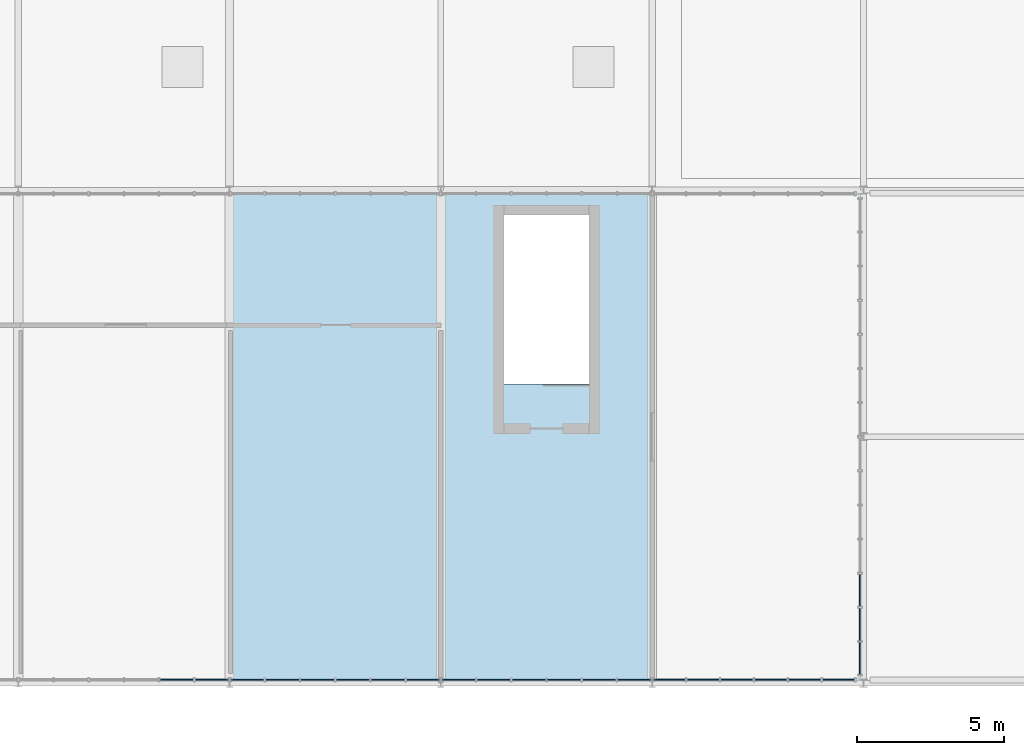
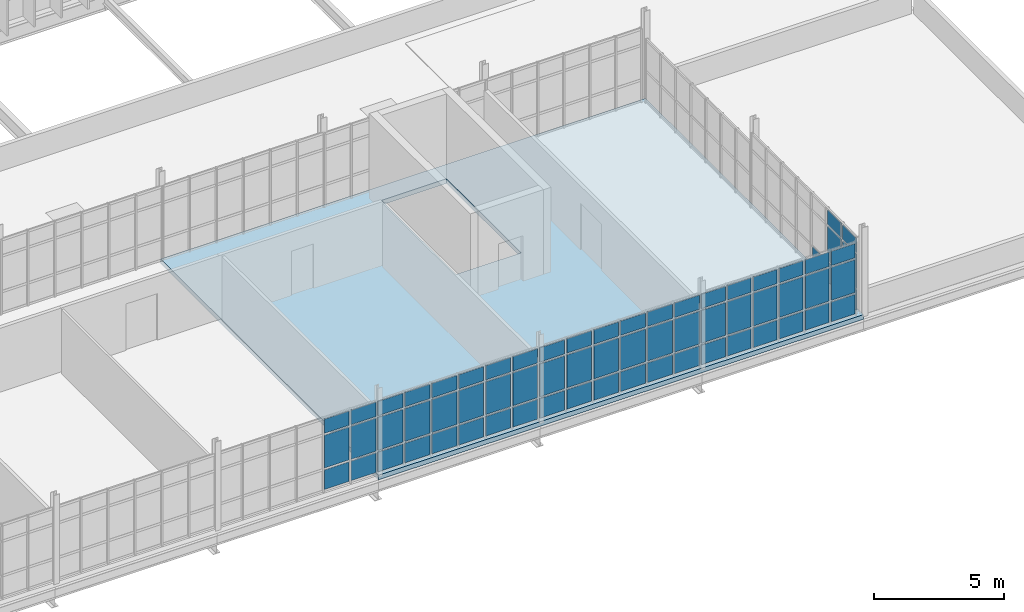
# One storey, part 79 of 119: 67 plates, 1 slab, 5 elements without a shape of their own.
"""IFC4 building model written with IfcOpenShell, lengths in metres."""

from ifc_helpers import new_model, si_unit, direction, frame, origin, origin_2d, place, context, subcontext, project, spatial, polyline, rectangle, outline, extrude, material, layer, layer_set, type_object, element, aggregate, save


model = new_model("IFC4")

# Units and contexts
model_context = context("Model", 3, precision=1e-05, world=origin(), true_north=direction((0.0, 1.0)))
body_context = subcontext(model_context, "Body", "Model", "MODEL_VIEW")
ifc_project = project(units=[si_unit("LENGTHUNIT", "METRE"), si_unit("AREAUNIT", "SQUARE_METRE"), si_unit("VOLUMEUNIT", "CUBIC_METRE"), si_unit("PLANEANGLEUNIT", "RADIAN"), si_unit("MASSUNIT", "GRAM", prefix="KILO")], contexts=[model_context])

# Site, building, storey
site_placement = place(None, origin())
site = spatial("IfcSite", under=ifc_project, at=site_placement, CompositionType="ELEMENT")
building_placement = place(site_placement, origin())
building = spatial("IfcBuilding", under=site, at=building_placement, Name="Qelthora Terrace Specialist Clinic", CompositionType="ELEMENT")
storey_placement = place(building_placement, frame((0.0, 0.0, 4.800048828125)))
storey = spatial("IfcBuildingStorey", under=building, at=storey_placement, Name="L01", CompositionType="ELEMENT", Elevation=4.800048828125)

# Curtain wall, plates
ifc_material_1 = material(Name="Aluminium anodized bronze", Category="aluminium")
curtain_wall_type = type_object("IfcCurtainWallType", Name="CW-CONS-UP", PredefinedType="NOTDEFINED", material=ifc_material_1)
curtain_wall_1_placement = place(storey_placement, origin())
curtain_wall_1 = element("IfcCurtainWall", 1, at=curtain_wall_1_placement, inside=storey, type_object=curtain_wall_type, Name="Curtain wall CW-L01-246", PredefinedType="NOTDEFINED")
ifc_material_2 = material(Name="Low-E triple-silver insulating glass", Category="glass")
ifc_layer_1 = layer(ifc_material_2, 0.035888671875)
ifc_layer_set_1 = layer_set([ifc_layer_1], Name="Low-E triple-silver insulating glass")
plate_type = type_object("IfcPlateType", Name="CWP-IGU-36", PredefinedType="CURTAIN_PANEL", material=ifc_layer_set_1)
plate_1_placement = place(storey_placement, frame((151.080078125, 0.84130859375, 0.0849609375), z_axis=(0.0, 0.0, 1.0), x_axis=(0.0, 1.0, 0.0)))
plate_1 = element("IfcPlate", 2, at=plate_1_placement, type_object=plate_type, Name="CW-L01-246 glazed panel 1", PredefinedType="CURTAIN_PANEL", context=body_context, shape_type="SweptSolid", body=[
    extrude(rectangle(XDim=1.062744140625, YDim=0.035888671875, at=origin_2d()), origin(), (0.0, 0.0, 1.0), 0.919921875),
])
plate_2_placement = place(storey_placement, frame((151.080078125, 0.84130859375, 1.0947265625), z_axis=(0.0, 0.0, 1.0), x_axis=(0.0, 1.0, 0.0)))
plate_2 = element("IfcPlate", 3, at=plate_2_placement, type_object=plate_type, Name="CW-L01-246 glazed panel 2", PredefinedType="CURTAIN_PANEL", context=body_context, shape_type="SweptSolid", body=[
    extrude(rectangle(XDim=1.062744140625, YDim=0.035888671875, at=origin_2d()), origin(), (0.0, 0.0, 1.0), 1.589111328125),
])
plate_3_placement = place(storey_placement, frame((151.080078125, 0.84130859375, 2.77392578125), z_axis=(0.0, 0.0, 1.0), x_axis=(0.0, 1.0, 0.0)))
plate_3 = element("IfcPlate", 4, at=plate_3_placement, type_object=plate_type, Name="CW-L01-246 glazed panel 3", PredefinedType="CURTAIN_PANEL", context=body_context, shape_type="SweptSolid", body=[
    extrude(rectangle(XDim=1.062744140625, YDim=0.035888671875, at=origin_2d()), origin(), (0.0, 0.0, 1.0), 0.669921875),
])
plate_4_placement = place(storey_placement, frame((151.080078125, 2.00439453125, 0.0849609375), z_axis=(0.0, 0.0, 1.0), x_axis=(0.0, 1.0, 0.0)))
plate_4 = element("IfcPlate", 5, at=plate_4_placement, type_object=plate_type, Name="CW-L01-246 glazed panel 4", PredefinedType="CURTAIN_PANEL", context=body_context, shape_type="SweptSolid", body=[
    extrude(rectangle(XDim=1.062744140625, YDim=0.035888671875, at=origin_2d()), origin(), (0.0, 0.0, 1.0), 0.919921875),
])
plate_5_placement = place(storey_placement, frame((151.080078125, 2.00439453125, 1.0947265625), z_axis=(0.0, 0.0, 1.0), x_axis=(0.0, 1.0, 0.0)))
plate_5 = element("IfcPlate", 6, at=plate_5_placement, type_object=plate_type, Name="CW-L01-246 glazed panel 5", PredefinedType="CURTAIN_PANEL", context=body_context, shape_type="SweptSolid", body=[
    extrude(rectangle(XDim=1.062744140625, YDim=0.035888671875, at=origin_2d()), origin(), (0.0, 0.0, 1.0), 1.589111328125),
])
plate_6_placement = place(storey_placement, frame((151.080078125, 2.00439453125, 2.77392578125), z_axis=(0.0, 0.0, 1.0), x_axis=(0.0, 1.0, 0.0)))
plate_6 = element("IfcPlate", 7, at=plate_6_placement, type_object=plate_type, Name="CW-L01-246 glazed panel 6", PredefinedType="CURTAIN_PANEL", context=body_context, shape_type="SweptSolid", body=[
    extrude(rectangle(XDim=1.062744140625, YDim=0.035888671875, at=origin_2d()), origin(), (0.0, 0.0, 1.0), 0.669921875),
])
plate_7_placement = place(storey_placement, frame((151.080078125, 3.167236328125, 0.0849609375), z_axis=(0.0, 0.0, 1.0), x_axis=(0.0, 1.0, 0.0)))
plate_7 = element("IfcPlate", 8, at=plate_7_placement, type_object=plate_type, Name="CW-L01-246 glazed panel 7", PredefinedType="CURTAIN_PANEL", context=body_context, shape_type="SweptSolid", body=[
    extrude(rectangle(XDim=1.062744140625, YDim=0.035888671875, at=origin_2d()), origin(), (0.0, 0.0, 1.0), 0.919921875),
])
aggregate(curtain_wall_1, [plate_1, plate_2, plate_3, plate_4, plate_5, plate_6, plate_7])

curtain_wall_2_placement = place(storey_placement, origin())
curtain_wall_2 = element("IfcCurtainWall", 9, at=curtain_wall_2_placement, inside=storey, type_object=curtain_wall_type, Name="Curtain wall CW-L01-250", PredefinedType="NOTDEFINED")
plate_8_placement = place(storey_placement, frame((127.800048828125, 0.1201171875, 0.0849609375), z_axis=(0.0, 0.0, 1.0), x_axis=(1.0, 0.0, 0.0)))
plate_8 = element("IfcPlate", 10, at=plate_8_placement, type_object=plate_type, Name="CW-L01-250 glazed panel 13", PredefinedType="CURTAIN_PANEL", context=body_context, shape_type="SweptSolid", body=[
    extrude(rectangle(XDim=1.10009765625, YDim=0.035888671875, at=origin_2d()), origin(), (0.0, 0.0, 1.0), 0.919921875),
])
plate_9_placement = place(storey_placement, frame((127.800048828125, 0.1201171875, 1.094970703125), z_axis=(0.0, 0.0, 1.0), x_axis=(1.0, 0.0, 0.0)))
plate_9 = element("IfcPlate", 11, at=plate_9_placement, type_object=plate_type, Name="CW-L01-250 glazed panel 14", PredefinedType="CURTAIN_PANEL", context=body_context, shape_type="SweptSolid", body=[
    extrude(rectangle(XDim=1.10009765625, YDim=0.035888671875, at=origin_2d()), origin(), (0.0, 0.0, 1.0), 1.5419921875),
])
plate_10_placement = place(storey_placement, frame((127.800048828125, 0.1201171875, 2.72705078125), z_axis=(0.0, 0.0, 1.0), x_axis=(1.0, 0.0, 0.0)))
plate_10 = element("IfcPlate", 12, at=plate_10_placement, type_object=plate_type, Name="CW-L01-250 glazed panel 15", PredefinedType="CURTAIN_PANEL", context=body_context, shape_type="SweptSolid", body=[
    extrude(rectangle(XDim=1.10009765625, YDim=0.035888671875, at=origin_2d()), origin(), (0.0, 0.0, 1.0), 0.669921875),
])
plate_11_placement = place(storey_placement, frame((129.0, 0.1201171875, 0.0849609375), z_axis=(0.0, 0.0, 1.0), x_axis=(1.0, 0.0, 0.0)))
plate_11 = element("IfcPlate", 13, at=plate_11_placement, type_object=plate_type, Name="CW-L01-250 glazed panel 16", PredefinedType="CURTAIN_PANEL", context=body_context, shape_type="SweptSolid", body=[
    extrude(rectangle(XDim=1.10009765625, YDim=0.035888671875, at=origin_2d()), origin(), (0.0, 0.0, 1.0), 0.919921875),
])
plate_12_placement = place(storey_placement, frame((129.0, 0.1201171875, 1.094970703125), z_axis=(0.0, 0.0, 1.0), x_axis=(1.0, 0.0, 0.0)))
plate_12 = element("IfcPlate", 14, at=plate_12_placement, type_object=plate_type, Name="CW-L01-250 glazed panel 17", PredefinedType="CURTAIN_PANEL", context=body_context, shape_type="SweptSolid", body=[
    extrude(rectangle(XDim=1.10009765625, YDim=0.035888671875, at=origin_2d()), origin(), (0.0, 0.0, 1.0), 1.5419921875),
])
plate_13_placement = place(storey_placement, frame((129.0, 0.1201171875, 2.72705078125), z_axis=(0.0, 0.0, 1.0), x_axis=(1.0, 0.0, 0.0)))
plate_13 = element("IfcPlate", 15, at=plate_13_placement, type_object=plate_type, Name="CW-L01-250 glazed panel 18", PredefinedType="CURTAIN_PANEL", context=body_context, shape_type="SweptSolid", body=[
    extrude(rectangle(XDim=1.10009765625, YDim=0.035888671875, at=origin_2d()), origin(), (0.0, 0.0, 1.0), 0.669921875),
])
aggregate(curtain_wall_2, [plate_8, plate_9, plate_10, plate_11, plate_12, plate_13])

curtain_wall_3_placement = place(storey_placement, origin())
curtain_wall_3 = element("IfcCurtainWall", 16, at=curtain_wall_3_placement, inside=storey, type_object=curtain_wall_type, Name="Curtain wall CW-L01-251", PredefinedType="NOTDEFINED")
plate_14_placement = place(storey_placement, frame((130.199951171875, 0.1201171875, 0.0849609375), z_axis=(0.0, 0.0, 1.0), x_axis=(1.0, 0.0, 0.0)))
plate_14 = element("IfcPlate", 17, at=plate_14_placement, type_object=plate_type, Name="CW-L01-251 glazed panel 1", PredefinedType="CURTAIN_PANEL", context=body_context, shape_type="SweptSolid", body=[
    extrude(rectangle(XDim=1.10009765625, YDim=0.035888671875, at=origin_2d()), origin(), (0.0, 0.0, 1.0), 0.919921875),
])
plate_15_placement = place(storey_placement, frame((130.199951171875, 0.1201171875, 1.094970703125), z_axis=(0.0, 0.0, 1.0), x_axis=(1.0, 0.0, 0.0)))
plate_15 = element("IfcPlate", 18, at=plate_15_placement, type_object=plate_type, Name="CW-L01-251 glazed panel 2", PredefinedType="CURTAIN_PANEL", context=body_context, shape_type="SweptSolid", body=[
    extrude(rectangle(XDim=1.10009765625, YDim=0.035888671875, at=origin_2d()), origin(), (0.0, 0.0, 1.0), 1.5419921875),
])
plate_16_placement = place(storey_placement, frame((130.199951171875, 0.1201171875, 2.72705078125), z_axis=(0.0, 0.0, 1.0), x_axis=(1.0, 0.0, 0.0)))
plate_16 = element("IfcPlate", 19, at=plate_16_placement, type_object=plate_type, Name="CW-L01-251 glazed panel 3", PredefinedType="CURTAIN_PANEL", context=body_context, shape_type="SweptSolid", body=[
    extrude(rectangle(XDim=1.10009765625, YDim=0.035888671875, at=origin_2d()), origin(), (0.0, 0.0, 1.0), 0.669921875),
])
plate_17_placement = place(storey_placement, frame((131.39990234375, 0.1201171875, 0.0849609375), z_axis=(0.0, 0.0, 1.0), x_axis=(1.0, 0.0, 0.0)))
plate_17 = element("IfcPlate", 20, at=plate_17_placement, type_object=plate_type, Name="CW-L01-251 glazed panel 4", PredefinedType="CURTAIN_PANEL", context=body_context, shape_type="SweptSolid", body=[
    extrude(rectangle(XDim=1.10009765625, YDim=0.035888671875, at=origin_2d()), origin(), (0.0, 0.0, 1.0), 0.919921875),
])
plate_18_placement = place(storey_placement, frame((131.39990234375, 0.1201171875, 1.094970703125), z_axis=(0.0, 0.0, 1.0), x_axis=(1.0, 0.0, 0.0)))
plate_18 = element("IfcPlate", 21, at=plate_18_placement, type_object=plate_type, Name="CW-L01-251 glazed panel 5", PredefinedType="CURTAIN_PANEL", context=body_context, shape_type="SweptSolid", body=[
    extrude(rectangle(XDim=1.10009765625, YDim=0.035888671875, at=origin_2d()), origin(), (0.0, 0.0, 1.0), 1.5419921875),
])
plate_19_placement = place(storey_placement, frame((131.39990234375, 0.1201171875, 2.72705078125), z_axis=(0.0, 0.0, 1.0), x_axis=(1.0, 0.0, 0.0)))
plate_19 = element("IfcPlate", 22, at=plate_19_placement, type_object=plate_type, Name="CW-L01-251 glazed panel 6", PredefinedType="CURTAIN_PANEL", context=body_context, shape_type="SweptSolid", body=[
    extrude(rectangle(XDim=1.10009765625, YDim=0.035888671875, at=origin_2d()), origin(), (0.0, 0.0, 1.0), 0.669921875),
])
plate_20_placement = place(storey_placement, frame((132.60009765625, 0.1201171875, 0.0849609375), z_axis=(0.0, 0.0, 1.0), x_axis=(1.0, 0.0, 0.0)))
plate_20 = element("IfcPlate", 23, at=plate_20_placement, type_object=plate_type, Name="CW-L01-251 glazed panel 7", PredefinedType="CURTAIN_PANEL", context=body_context, shape_type="SweptSolid", body=[
    extrude(rectangle(XDim=1.10009765625, YDim=0.035888671875, at=origin_2d()), origin(), (0.0, 0.0, 1.0), 0.919921875),
])
plate_21_placement = place(storey_placement, frame((132.60009765625, 0.1201171875, 1.094970703125), z_axis=(0.0, 0.0, 1.0), x_axis=(1.0, 0.0, 0.0)))
plate_21 = element("IfcPlate", 24, at=plate_21_placement, type_object=plate_type, Name="CW-L01-251 glazed panel 8", PredefinedType="CURTAIN_PANEL", context=body_context, shape_type="SweptSolid", body=[
    extrude(rectangle(XDim=1.10009765625, YDim=0.035888671875, at=origin_2d()), origin(), (0.0, 0.0, 1.0), 1.5419921875),
])
plate_22_placement = place(storey_placement, frame((132.60009765625, 0.1201171875, 2.72705078125), z_axis=(0.0, 0.0, 1.0), x_axis=(1.0, 0.0, 0.0)))
plate_22 = element("IfcPlate", 25, at=plate_22_placement, type_object=plate_type, Name="CW-L01-251 glazed panel 9", PredefinedType="CURTAIN_PANEL", context=body_context, shape_type="SweptSolid", body=[
    extrude(rectangle(XDim=1.10009765625, YDim=0.035888671875, at=origin_2d()), origin(), (0.0, 0.0, 1.0), 0.669921875),
])
plate_23_placement = place(storey_placement, frame((133.800048828125, 0.1201171875, 0.0849609375), z_axis=(0.0, 0.0, 1.0), x_axis=(1.0, 0.0, 0.0)))
plate_23 = element("IfcPlate", 26, at=plate_23_placement, type_object=plate_type, Name="CW-L01-251 glazed panel 10", PredefinedType="CURTAIN_PANEL", context=body_context, shape_type="SweptSolid", body=[
    extrude(rectangle(XDim=1.10009765625, YDim=0.035888671875, at=origin_2d()), origin(), (0.0, 0.0, 1.0), 0.919921875),
])
plate_24_placement = place(storey_placement, frame((133.800048828125, 0.1201171875, 1.094970703125), z_axis=(0.0, 0.0, 1.0), x_axis=(1.0, 0.0, 0.0)))
plate_24 = element("IfcPlate", 27, at=plate_24_placement, type_object=plate_type, Name="CW-L01-251 glazed panel 11", PredefinedType="CURTAIN_PANEL", context=body_context, shape_type="SweptSolid", body=[
    extrude(rectangle(XDim=1.10009765625, YDim=0.035888671875, at=origin_2d()), origin(), (0.0, 0.0, 1.0), 1.5419921875),
])
plate_25_placement = place(storey_placement, frame((133.800048828125, 0.1201171875, 2.72705078125), z_axis=(0.0, 0.0, 1.0), x_axis=(1.0, 0.0, 0.0)))
plate_25 = element("IfcPlate", 28, at=plate_25_placement, type_object=plate_type, Name="CW-L01-251 glazed panel 12", PredefinedType="CURTAIN_PANEL", context=body_context, shape_type="SweptSolid", body=[
    extrude(rectangle(XDim=1.10009765625, YDim=0.035888671875, at=origin_2d()), origin(), (0.0, 0.0, 1.0), 0.669921875),
])
plate_26_placement = place(storey_placement, frame((135.0, 0.1201171875, 0.0849609375), z_axis=(0.0, 0.0, 1.0), x_axis=(1.0, 0.0, 0.0)))
plate_26 = element("IfcPlate", 29, at=plate_26_placement, type_object=plate_type, Name="CW-L01-251 glazed panel 13", PredefinedType="CURTAIN_PANEL", context=body_context, shape_type="SweptSolid", body=[
    extrude(rectangle(XDim=1.10009765625, YDim=0.035888671875, at=origin_2d()), origin(), (0.0, 0.0, 1.0), 0.919921875),
])
plate_27_placement = place(storey_placement, frame((135.0, 0.1201171875, 1.094970703125), z_axis=(0.0, 0.0, 1.0), x_axis=(1.0, 0.0, 0.0)))
plate_27 = element("IfcPlate", 30, at=plate_27_placement, type_object=plate_type, Name="CW-L01-251 glazed panel 14", PredefinedType="CURTAIN_PANEL", context=body_context, shape_type="SweptSolid", body=[
    extrude(rectangle(XDim=1.10009765625, YDim=0.035888671875, at=origin_2d()), origin(), (0.0, 0.0, 1.0), 1.5419921875),
])
plate_28_placement = place(storey_placement, frame((135.0, 0.1201171875, 2.72705078125), z_axis=(0.0, 0.0, 1.0), x_axis=(1.0, 0.0, 0.0)))
plate_28 = element("IfcPlate", 31, at=plate_28_placement, type_object=plate_type, Name="CW-L01-251 glazed panel 15", PredefinedType="CURTAIN_PANEL", context=body_context, shape_type="SweptSolid", body=[
    extrude(rectangle(XDim=1.10009765625, YDim=0.035888671875, at=origin_2d()), origin(), (0.0, 0.0, 1.0), 0.669921875),
])
plate_29_placement = place(storey_placement, frame((136.199951171875, 0.1201171875, 0.0849609375), z_axis=(0.0, 0.0, 1.0), x_axis=(1.0, 0.0, 0.0)))
plate_29 = element("IfcPlate", 32, at=plate_29_placement, type_object=plate_type, Name="CW-L01-251 glazed panel 16", PredefinedType="CURTAIN_PANEL", context=body_context, shape_type="SweptSolid", body=[
    extrude(rectangle(XDim=1.10009765625, YDim=0.035888671875, at=origin_2d()), origin(), (0.0, 0.0, 1.0), 0.919921875),
])
plate_30_placement = place(storey_placement, frame((136.199951171875, 0.1201171875, 1.094970703125), z_axis=(0.0, 0.0, 1.0), x_axis=(1.0, 0.0, 0.0)))
plate_30 = element("IfcPlate", 33, at=plate_30_placement, type_object=plate_type, Name="CW-L01-251 glazed panel 17", PredefinedType="CURTAIN_PANEL", context=body_context, shape_type="SweptSolid", body=[
    extrude(rectangle(XDim=1.10009765625, YDim=0.035888671875, at=origin_2d()), origin(), (0.0, 0.0, 1.0), 1.5419921875),
])
plate_31_placement = place(storey_placement, frame((136.199951171875, 0.1201171875, 2.72705078125), z_axis=(0.0, 0.0, 1.0), x_axis=(1.0, 0.0, 0.0)))
plate_31 = element("IfcPlate", 34, at=plate_31_placement, type_object=plate_type, Name="CW-L01-251 glazed panel 18", PredefinedType="CURTAIN_PANEL", context=body_context, shape_type="SweptSolid", body=[
    extrude(rectangle(XDim=1.10009765625, YDim=0.035888671875, at=origin_2d()), origin(), (0.0, 0.0, 1.0), 0.669921875),
])
aggregate(curtain_wall_3, [plate_14, plate_15, plate_16, plate_17, plate_18, plate_19, plate_20, plate_21, plate_22, plate_23, plate_24, plate_25, plate_26, plate_27, plate_28, plate_29, plate_30, plate_31])

curtain_wall_4_placement = place(storey_placement, origin())
curtain_wall_4 = element("IfcCurtainWall", 35, at=curtain_wall_4_placement, inside=storey, type_object=curtain_wall_type, Name="Curtain wall CW-L01-252", PredefinedType="NOTDEFINED")
plate_32_placement = place(storey_placement, frame((137.39990234375, 0.1201171875, 0.0849609375), z_axis=(0.0, 0.0, 1.0), x_axis=(1.0, 0.0, 0.0)))
plate_32 = element("IfcPlate", 36, at=plate_32_placement, type_object=plate_type, Name="CW-L01-252 glazed panel 1", PredefinedType="CURTAIN_PANEL", context=body_context, shape_type="SweptSolid", body=[
    extrude(rectangle(XDim=1.10009765625, YDim=0.035888671875, at=origin_2d()), origin(), (0.0, 0.0, 1.0), 0.919921875),
])
plate_33_placement = place(storey_placement, frame((137.39990234375, 0.1201171875, 1.094970703125), z_axis=(0.0, 0.0, 1.0), x_axis=(1.0, 0.0, 0.0)))
plate_33 = element("IfcPlate", 37, at=plate_33_placement, type_object=plate_type, Name="CW-L01-252 glazed panel 2", PredefinedType="CURTAIN_PANEL", context=body_context, shape_type="SweptSolid", body=[
    extrude(rectangle(XDim=1.10009765625, YDim=0.035888671875, at=origin_2d()), origin(), (0.0, 0.0, 1.0), 1.5419921875),
])
plate_34_placement = place(storey_placement, frame((137.39990234375, 0.1201171875, 2.72705078125), z_axis=(0.0, 0.0, 1.0), x_axis=(1.0, 0.0, 0.0)))
plate_34 = element("IfcPlate", 38, at=plate_34_placement, type_object=plate_type, Name="CW-L01-252 glazed panel 3", PredefinedType="CURTAIN_PANEL", context=body_context, shape_type="SweptSolid", body=[
    extrude(rectangle(XDim=1.10009765625, YDim=0.035888671875, at=origin_2d()), origin(), (0.0, 0.0, 1.0), 0.669921875),
])
plate_35_placement = place(storey_placement, frame((138.60009765625, 0.1201171875, 0.0849609375), z_axis=(0.0, 0.0, 1.0), x_axis=(1.0, 0.0, 0.0)))
plate_35 = element("IfcPlate", 39, at=plate_35_placement, type_object=plate_type, Name="CW-L01-252 glazed panel 4", PredefinedType="CURTAIN_PANEL", context=body_context, shape_type="SweptSolid", body=[
    extrude(rectangle(XDim=1.10009765625, YDim=0.035888671875, at=origin_2d()), origin(), (0.0, 0.0, 1.0), 0.919921875),
])
plate_36_placement = place(storey_placement, frame((138.60009765625, 0.1201171875, 1.094970703125), z_axis=(0.0, 0.0, 1.0), x_axis=(1.0, 0.0, 0.0)))
plate_36 = element("IfcPlate", 40, at=plate_36_placement, type_object=plate_type, Name="CW-L01-252 glazed panel 5", PredefinedType="CURTAIN_PANEL", context=body_context, shape_type="SweptSolid", body=[
    extrude(rectangle(XDim=1.10009765625, YDim=0.035888671875, at=origin_2d()), origin(), (0.0, 0.0, 1.0), 1.5419921875),
])
plate_37_placement = place(storey_placement, frame((138.60009765625, 0.1201171875, 2.72705078125), z_axis=(0.0, 0.0, 1.0), x_axis=(1.0, 0.0, 0.0)))
plate_37 = element("IfcPlate", 41, at=plate_37_placement, type_object=plate_type, Name="CW-L01-252 glazed panel 6", PredefinedType="CURTAIN_PANEL", context=body_context, shape_type="SweptSolid", body=[
    extrude(rectangle(XDim=1.10009765625, YDim=0.035888671875, at=origin_2d()), origin(), (0.0, 0.0, 1.0), 0.669921875),
])
plate_38_placement = place(storey_placement, frame((139.800048828125, 0.1201171875, 0.0849609375), z_axis=(0.0, 0.0, 1.0), x_axis=(1.0, 0.0, 0.0)))
plate_38 = element("IfcPlate", 42, at=plate_38_placement, type_object=plate_type, Name="CW-L01-252 glazed panel 7", PredefinedType="CURTAIN_PANEL", context=body_context, shape_type="SweptSolid", body=[
    extrude(rectangle(XDim=1.10009765625, YDim=0.035888671875, at=origin_2d()), origin(), (0.0, 0.0, 1.0), 0.919921875),
])
plate_39_placement = place(storey_placement, frame((139.800048828125, 0.1201171875, 1.094970703125), z_axis=(0.0, 0.0, 1.0), x_axis=(1.0, 0.0, 0.0)))
plate_39 = element("IfcPlate", 43, at=plate_39_placement, type_object=plate_type, Name="CW-L01-252 glazed panel 8", PredefinedType="CURTAIN_PANEL", context=body_context, shape_type="SweptSolid", body=[
    extrude(rectangle(XDim=1.10009765625, YDim=0.035888671875, at=origin_2d()), origin(), (0.0, 0.0, 1.0), 1.5419921875),
])
plate_40_placement = place(storey_placement, frame((139.800048828125, 0.1201171875, 2.72705078125), z_axis=(0.0, 0.0, 1.0), x_axis=(1.0, 0.0, 0.0)))
plate_40 = element("IfcPlate", 44, at=plate_40_placement, type_object=plate_type, Name="CW-L01-252 glazed panel 9", PredefinedType="CURTAIN_PANEL", context=body_context, shape_type="SweptSolid", body=[
    extrude(rectangle(XDim=1.10009765625, YDim=0.035888671875, at=origin_2d()), origin(), (0.0, 0.0, 1.0), 0.669921875),
])
plate_41_placement = place(storey_placement, frame((141.0, 0.1201171875, 0.0849609375), z_axis=(0.0, 0.0, 1.0), x_axis=(1.0, 0.0, 0.0)))
plate_41 = element("IfcPlate", 45, at=plate_41_placement, type_object=plate_type, Name="CW-L01-252 glazed panel 10", PredefinedType="CURTAIN_PANEL", context=body_context, shape_type="SweptSolid", body=[
    extrude(rectangle(XDim=1.10009765625, YDim=0.035888671875, at=origin_2d()), origin(), (0.0, 0.0, 1.0), 0.919921875),
])
plate_42_placement = place(storey_placement, frame((141.0, 0.1201171875, 1.094970703125), z_axis=(0.0, 0.0, 1.0), x_axis=(1.0, 0.0, 0.0)))
plate_42 = element("IfcPlate", 46, at=plate_42_placement, type_object=plate_type, Name="CW-L01-252 glazed panel 11", PredefinedType="CURTAIN_PANEL", context=body_context, shape_type="SweptSolid", body=[
    extrude(rectangle(XDim=1.10009765625, YDim=0.035888671875, at=origin_2d()), origin(), (0.0, 0.0, 1.0), 1.5419921875),
])
plate_43_placement = place(storey_placement, frame((141.0, 0.1201171875, 2.72705078125), z_axis=(0.0, 0.0, 1.0), x_axis=(1.0, 0.0, 0.0)))
plate_43 = element("IfcPlate", 47, at=plate_43_placement, type_object=plate_type, Name="CW-L01-252 glazed panel 12", PredefinedType="CURTAIN_PANEL", context=body_context, shape_type="SweptSolid", body=[
    extrude(rectangle(XDim=1.10009765625, YDim=0.035888671875, at=origin_2d()), origin(), (0.0, 0.0, 1.0), 0.669921875),
])
plate_44_placement = place(storey_placement, frame((142.199951171875, 0.1201171875, 0.0849609375), z_axis=(0.0, 0.0, 1.0), x_axis=(1.0, 0.0, 0.0)))
plate_44 = element("IfcPlate", 48, at=plate_44_placement, type_object=plate_type, Name="CW-L01-252 glazed panel 13", PredefinedType="CURTAIN_PANEL", context=body_context, shape_type="SweptSolid", body=[
    extrude(rectangle(XDim=1.10009765625, YDim=0.035888671875, at=origin_2d()), origin(), (0.0, 0.0, 1.0), 0.919921875),
])
plate_45_placement = place(storey_placement, frame((142.199951171875, 0.1201171875, 1.094970703125), z_axis=(0.0, 0.0, 1.0), x_axis=(1.0, 0.0, 0.0)))
plate_45 = element("IfcPlate", 49, at=plate_45_placement, type_object=plate_type, Name="CW-L01-252 glazed panel 14", PredefinedType="CURTAIN_PANEL", context=body_context, shape_type="SweptSolid", body=[
    extrude(rectangle(XDim=1.10009765625, YDim=0.035888671875, at=origin_2d()), origin(), (0.0, 0.0, 1.0), 1.5419921875),
])
plate_46_placement = place(storey_placement, frame((142.199951171875, 0.1201171875, 2.72705078125), z_axis=(0.0, 0.0, 1.0), x_axis=(1.0, 0.0, 0.0)))
plate_46 = element("IfcPlate", 50, at=plate_46_placement, type_object=plate_type, Name="CW-L01-252 glazed panel 15", PredefinedType="CURTAIN_PANEL", context=body_context, shape_type="SweptSolid", body=[
    extrude(rectangle(XDim=1.10009765625, YDim=0.035888671875, at=origin_2d()), origin(), (0.0, 0.0, 1.0), 0.669921875),
])
plate_47_placement = place(storey_placement, frame((143.39990234375, 0.1201171875, 0.0849609375), z_axis=(0.0, 0.0, 1.0), x_axis=(1.0, 0.0, 0.0)))
plate_47 = element("IfcPlate", 51, at=plate_47_placement, type_object=plate_type, Name="CW-L01-252 glazed panel 16", PredefinedType="CURTAIN_PANEL", context=body_context, shape_type="SweptSolid", body=[
    extrude(rectangle(XDim=1.10009765625, YDim=0.035888671875, at=origin_2d()), origin(), (0.0, 0.0, 1.0), 0.919921875),
])
plate_48_placement = place(storey_placement, frame((143.39990234375, 0.1201171875, 1.094970703125), z_axis=(0.0, 0.0, 1.0), x_axis=(1.0, 0.0, 0.0)))
plate_48 = element("IfcPlate", 52, at=plate_48_placement, type_object=plate_type, Name="CW-L01-252 glazed panel 17", PredefinedType="CURTAIN_PANEL", context=body_context, shape_type="SweptSolid", body=[
    extrude(rectangle(XDim=1.10009765625, YDim=0.035888671875, at=origin_2d()), origin(), (0.0, 0.0, 1.0), 1.5419921875),
])
plate_49_placement = place(storey_placement, frame((143.39990234375, 0.1201171875, 2.72705078125), z_axis=(0.0, 0.0, 1.0), x_axis=(1.0, 0.0, 0.0)))
plate_49 = element("IfcPlate", 53, at=plate_49_placement, type_object=plate_type, Name="CW-L01-252 glazed panel 18", PredefinedType="CURTAIN_PANEL", context=body_context, shape_type="SweptSolid", body=[
    extrude(rectangle(XDim=1.10009765625, YDim=0.035888671875, at=origin_2d()), origin(), (0.0, 0.0, 1.0), 0.669921875),
])
aggregate(curtain_wall_4, [plate_32, plate_33, plate_34, plate_35, plate_36, plate_37, plate_38, plate_39, plate_40, plate_41, plate_42, plate_43, plate_44, plate_45, plate_46, plate_47, plate_48, plate_49])

curtain_wall_5_placement = place(storey_placement, origin())
curtain_wall_5 = element("IfcCurtainWall", 54, at=curtain_wall_5_placement, inside=storey, type_object=curtain_wall_type, Name="Curtain wall CW-L01-253", PredefinedType="NOTDEFINED")
plate_50_placement = place(storey_placement, frame((144.578369140625, 0.1201171875, 0.0849609375), z_axis=(0.0, 0.0, 1.0), x_axis=(1.0, 0.0, 0.0)))
plate_50 = element("IfcPlate", 55, at=plate_50_placement, type_object=plate_type, Name="CW-L01-253 glazed panel 1", PredefinedType="CURTAIN_PANEL", context=body_context, shape_type="SweptSolid", body=[
    extrude(rectangle(XDim=1.056640625, YDim=0.035888671875, at=origin_2d()), origin(), (0.0, 0.0, 1.0), 0.919921875),
])
plate_51_placement = place(storey_placement, frame((144.578369140625, 0.1201171875, 1.094970703125), z_axis=(0.0, 0.0, 1.0), x_axis=(1.0, 0.0, 0.0)))
plate_51 = element("IfcPlate", 56, at=plate_51_placement, type_object=plate_type, Name="CW-L01-253 glazed panel 2", PredefinedType="CURTAIN_PANEL", context=body_context, shape_type="SweptSolid", body=[
    extrude(rectangle(XDim=1.056640625, YDim=0.035888671875, at=origin_2d()), origin(), (0.0, 0.0, 1.0), 1.5419921875),
])
plate_52_placement = place(storey_placement, frame((144.578369140625, 0.1201171875, 2.72705078125), z_axis=(0.0, 0.0, 1.0), x_axis=(1.0, 0.0, 0.0)))
plate_52 = element("IfcPlate", 57, at=plate_52_placement, type_object=plate_type, Name="CW-L01-253 glazed panel 3", PredefinedType="CURTAIN_PANEL", context=body_context, shape_type="SweptSolid", body=[
    extrude(rectangle(XDim=1.056640625, YDim=0.035888671875, at=origin_2d()), origin(), (0.0, 0.0, 1.0), 0.669921875),
])
plate_53_placement = place(storey_placement, frame((145.735107421875, 0.1201171875, 0.0849609375), z_axis=(0.0, 0.0, 1.0), x_axis=(1.0, 0.0, 0.0)))
plate_53 = element("IfcPlate", 58, at=plate_53_placement, type_object=plate_type, Name="CW-L01-253 glazed panel 4", PredefinedType="CURTAIN_PANEL", context=body_context, shape_type="SweptSolid", body=[
    extrude(rectangle(XDim=1.056640625, YDim=0.035888671875, at=origin_2d()), origin(), (0.0, 0.0, 1.0), 0.919921875),
])
plate_54_placement = place(storey_placement, frame((145.735107421875, 0.1201171875, 1.094970703125), z_axis=(0.0, 0.0, 1.0), x_axis=(1.0, 0.0, 0.0)))
plate_54 = element("IfcPlate", 59, at=plate_54_placement, type_object=plate_type, Name="CW-L01-253 glazed panel 5", PredefinedType="CURTAIN_PANEL", context=body_context, shape_type="SweptSolid", body=[
    extrude(rectangle(XDim=1.056640625, YDim=0.035888671875, at=origin_2d()), origin(), (0.0, 0.0, 1.0), 1.5419921875),
])
plate_55_placement = place(storey_placement, frame((145.735107421875, 0.1201171875, 2.72705078125), z_axis=(0.0, 0.0, 1.0), x_axis=(1.0, 0.0, 0.0)))
plate_55 = element("IfcPlate", 60, at=plate_55_placement, type_object=plate_type, Name="CW-L01-253 glazed panel 6", PredefinedType="CURTAIN_PANEL", context=body_context, shape_type="SweptSolid", body=[
    extrude(rectangle(XDim=1.056640625, YDim=0.035888671875, at=origin_2d()), origin(), (0.0, 0.0, 1.0), 0.669921875),
])
plate_56_placement = place(storey_placement, frame((146.8916015625, 0.1201171875, 0.0849609375), z_axis=(0.0, 0.0, 1.0), x_axis=(1.0, 0.0, 0.0)))
plate_56 = element("IfcPlate", 61, at=plate_56_placement, type_object=plate_type, Name="CW-L01-253 glazed panel 7", PredefinedType="CURTAIN_PANEL", context=body_context, shape_type="SweptSolid", body=[
    extrude(rectangle(XDim=1.056640625, YDim=0.035888671875, at=origin_2d()), origin(), (0.0, 0.0, 1.0), 0.919921875),
])
plate_57_placement = place(storey_placement, frame((146.8916015625, 0.1201171875, 1.094970703125), z_axis=(0.0, 0.0, 1.0), x_axis=(1.0, 0.0, 0.0)))
plate_57 = element("IfcPlate", 62, at=plate_57_placement, type_object=plate_type, Name="CW-L01-253 glazed panel 8", PredefinedType="CURTAIN_PANEL", context=body_context, shape_type="SweptSolid", body=[
    extrude(rectangle(XDim=1.056640625, YDim=0.035888671875, at=origin_2d()), origin(), (0.0, 0.0, 1.0), 1.5419921875),
])
plate_58_placement = place(storey_placement, frame((146.8916015625, 0.1201171875, 2.72705078125), z_axis=(0.0, 0.0, 1.0), x_axis=(1.0, 0.0, 0.0)))
plate_58 = element("IfcPlate", 63, at=plate_58_placement, type_object=plate_type, Name="CW-L01-253 glazed panel 9", PredefinedType="CURTAIN_PANEL", context=body_context, shape_type="SweptSolid", body=[
    extrude(rectangle(XDim=1.056640625, YDim=0.035888671875, at=origin_2d()), origin(), (0.0, 0.0, 1.0), 0.669921875),
])
plate_59_placement = place(storey_placement, frame((148.04833984375, 0.1201171875, 0.0849609375), z_axis=(0.0, 0.0, 1.0), x_axis=(1.0, 0.0, 0.0)))
plate_59 = element("IfcPlate", 64, at=plate_59_placement, type_object=plate_type, Name="CW-L01-253 glazed panel 10", PredefinedType="CURTAIN_PANEL", context=body_context, shape_type="SweptSolid", body=[
    extrude(rectangle(XDim=1.056640625, YDim=0.035888671875, at=origin_2d()), origin(), (0.0, 0.0, 1.0), 0.919921875),
])
plate_60_placement = place(storey_placement, frame((148.04833984375, 0.1201171875, 1.094970703125), z_axis=(0.0, 0.0, 1.0), x_axis=(1.0, 0.0, 0.0)))
plate_60 = element("IfcPlate", 65, at=plate_60_placement, type_object=plate_type, Name="CW-L01-253 glazed panel 11", PredefinedType="CURTAIN_PANEL", context=body_context, shape_type="SweptSolid", body=[
    extrude(rectangle(XDim=1.056640625, YDim=0.035888671875, at=origin_2d()), origin(), (0.0, 0.0, 1.0), 1.5419921875),
])
plate_61_placement = place(storey_placement, frame((148.04833984375, 0.1201171875, 2.72705078125), z_axis=(0.0, 0.0, 1.0), x_axis=(1.0, 0.0, 0.0)))
plate_61 = element("IfcPlate", 66, at=plate_61_placement, type_object=plate_type, Name="CW-L01-253 glazed panel 12", PredefinedType="CURTAIN_PANEL", context=body_context, shape_type="SweptSolid", body=[
    extrude(rectangle(XDim=1.056640625, YDim=0.035888671875, at=origin_2d()), origin(), (0.0, 0.0, 1.0), 0.669921875),
])
plate_62_placement = place(storey_placement, frame((149.205078125, 0.1201171875, 0.0849609375), z_axis=(0.0, 0.0, 1.0), x_axis=(1.0, 0.0, 0.0)))
plate_62 = element("IfcPlate", 67, at=plate_62_placement, type_object=plate_type, Name="CW-L01-253 glazed panel 13", PredefinedType="CURTAIN_PANEL", context=body_context, shape_type="SweptSolid", body=[
    extrude(rectangle(XDim=1.056640625, YDim=0.035888671875, at=origin_2d()), origin(), (0.0, 0.0, 1.0), 0.919921875),
])
plate_63_placement = place(storey_placement, frame((149.205078125, 0.1201171875, 1.094970703125), z_axis=(0.0, 0.0, 1.0), x_axis=(1.0, 0.0, 0.0)))
plate_63 = element("IfcPlate", 68, at=plate_63_placement, type_object=plate_type, Name="CW-L01-253 glazed panel 14", PredefinedType="CURTAIN_PANEL", context=body_context, shape_type="SweptSolid", body=[
    extrude(rectangle(XDim=1.056640625, YDim=0.035888671875, at=origin_2d()), origin(), (0.0, 0.0, 1.0), 1.5419921875),
])
plate_64_placement = place(storey_placement, frame((149.205078125, 0.1201171875, 2.72705078125), z_axis=(0.0, 0.0, 1.0), x_axis=(1.0, 0.0, 0.0)))
plate_64 = element("IfcPlate", 69, at=plate_64_placement, type_object=plate_type, Name="CW-L01-253 glazed panel 15", PredefinedType="CURTAIN_PANEL", context=body_context, shape_type="SweptSolid", body=[
    extrude(rectangle(XDim=1.056640625, YDim=0.035888671875, at=origin_2d()), origin(), (0.0, 0.0, 1.0), 0.669921875),
])
plate_65_placement = place(storey_placement, frame((150.361572265625, 0.1201171875, 0.0849609375), z_axis=(0.0, 0.0, 1.0), x_axis=(1.0, 0.0, 0.0)))
plate_65 = element("IfcPlate", 70, at=plate_65_placement, type_object=plate_type, Name="CW-L01-253 glazed panel 16", PredefinedType="CURTAIN_PANEL", context=body_context, shape_type="SweptSolid", body=[
    extrude(rectangle(XDim=1.056640625, YDim=0.035888671875, at=origin_2d()), origin(), (0.0, 0.0, 1.0), 0.919921875),
])
plate_66_placement = place(storey_placement, frame((150.361572265625, 0.1201171875, 1.094970703125), z_axis=(0.0, 0.0, 1.0), x_axis=(1.0, 0.0, 0.0)))
plate_66 = element("IfcPlate", 71, at=plate_66_placement, type_object=plate_type, Name="CW-L01-253 glazed panel 17", PredefinedType="CURTAIN_PANEL", context=body_context, shape_type="SweptSolid", body=[
    extrude(rectangle(XDim=1.056640625, YDim=0.035888671875, at=origin_2d()), origin(), (0.0, 0.0, 1.0), 1.5419921875),
])
plate_67_placement = place(storey_placement, frame((150.361572265625, 0.1201171875, 2.72705078125), z_axis=(0.0, 0.0, 1.0), x_axis=(1.0, 0.0, 0.0)))
plate_67 = element("IfcPlate", 72, at=plate_67_placement, type_object=plate_type, Name="CW-L01-253 glazed panel 18", PredefinedType="CURTAIN_PANEL", context=body_context, shape_type="SweptSolid", body=[
    extrude(rectangle(XDim=1.056640625, YDim=0.035888671875, at=origin_2d()), origin(), (0.0, 0.0, 1.0), 0.669921875),
])
aggregate(curtain_wall_5, [plate_50, plate_51, plate_52, plate_53, plate_54, plate_55, plate_56, plate_57, plate_58, plate_59, plate_60, plate_61, plate_62, plate_63, plate_64, plate_65, plate_66, plate_67])

# Slab
ifc_material_3 = material(Name="Concrete C30/37", Category="concrete")
ifc_layer_2 = layer(ifc_material_3, 0.219970703125)
ifc_layer_set_2 = layer_set([ifc_layer_2], Name="Concrete C30/37")
slab_type = type_object("IfcSlabType", Name="SLB-FLR-220-C30", PredefinedType="FLOOR", material=ifc_layer_set_2)
slab_placement = place(storey_placement, frame((0.0, 0.0, -0.219970703125)))
element("IfcSlab", 73, at=slab_placement, inside=storey, type_object=slab_type, Name="L01 V3 slab SLB-L01-V3B", PredefinedType="FLOOR", context=body_context, shape_type="SweptSolid", body=[
    extrude(outline(polyline([(129.60009765625, 16.800048828125), (151.199951171875, 16.800048828125), (151.199951171875, 0.0), (129.60009765625, 0.0), (129.60009765625, 16.800048828125)]), holes=[polyline([(141.85009765625, 15.949951171875), (138.949951171875, 15.949951171875), (138.949951171875, 10.20068359375), (141.85009765625, 10.20068359375), (141.85009765625, 15.949951171875)])]), origin(), (0.0, 0.0, 1.0), 0.219970703125),
])

save(model, "model.ifc")
